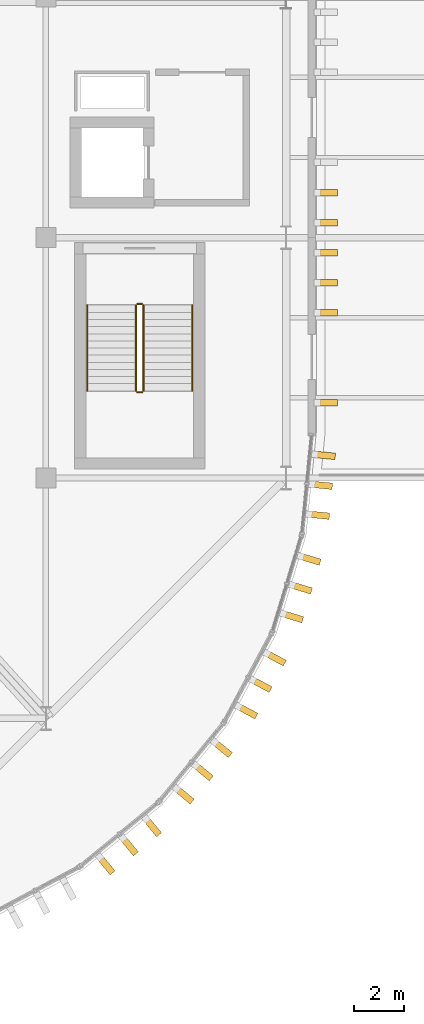
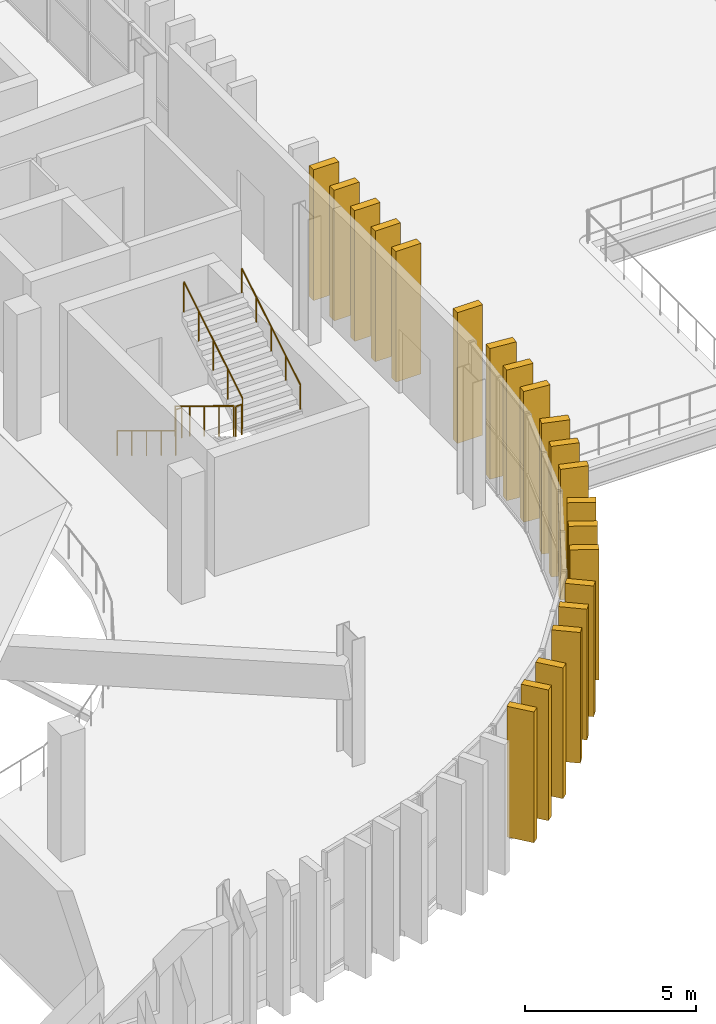
# One storey, part 60 of 69: 21 coverings, 6 railings.
"""IFC4 building model written with IfcOpenShell, lengths in metres."""

from ifc_helpers import new_model, si_unit, direction, frame, origin, origin_2d, place, context, subcontext, project, spatial, rectangle, circle, extrude, material, material_profile, profile_set, type_object, element, save


model = new_model("IFC4")

# Units and contexts
model_context = context("Model", 3, precision=1e-05, world=origin(), true_north=direction((0.0, 1.0)))
body_context = subcontext(model_context, "Body", "Model", "MODEL_VIEW")
ifc_project = project(units=[si_unit("LENGTHUNIT", "METRE"), si_unit("AREAUNIT", "SQUARE_METRE"), si_unit("VOLUMEUNIT", "CUBIC_METRE"), si_unit("PLANEANGLEUNIT", "RADIAN"), si_unit("MASSUNIT", "GRAM", prefix="KILO")], contexts=[model_context])

# Site, building, storey
site_placement = place(None, origin())
site = spatial("IfcSite", under=ifc_project, at=site_placement, CompositionType="ELEMENT")
building_placement = place(site_placement, origin())
building = spatial("IfcBuilding", under=site, at=building_placement, Name="Caelomonte Colonnade Arena", CompositionType="ELEMENT")
storey_placement = place(building_placement, frame((0.0, 0.0, 18.60009765625)))
storey = spatial("IfcBuildingStorey", under=building, at=storey_placement, Name="L04", CompositionType="ELEMENT", Elevation=18.60009765625)

# Coverings
ifc_material_1 = material(Name="Precast travertine cladding", Category="masonry")
ifc_material_profile = material_profile(ifc_material_1, rectangle(XDim=0.260009765625, YDim=0.85009765625, at=origin_2d()), Name="FIN260X850")
ifc_profile_set = profile_set([ifc_material_profile], Name="Precast travertine cladding")
covering_type = type_object("IfcCoveringType", Name="ENV-FN-SHAFT", PredefinedType="CLADDING", material=ifc_profile_set)
for number, where, z_axis, x_axis, name in (
    (1, (155.99755859375, 22.958251953125, -0.16015625), (0.0, 0.0, 1.0), (-0.77299384472, -0.634413521313, 0.0), "V1 L04 classical travertine vertical fin 10"),
    (2, (156.92529296875, 23.719482421875, -0.16015625), (0.0, 0.0, 1.0), (-0.77299384472, -0.634413521313, 0.0), "V1 L04 classical travertine vertical fin 11"),
    (3, (157.852783203125, 24.480712890625, -0.16015625), (0.0, 0.0, 1.0), (-0.77299384472, -0.634413521313, 0.0), "V1 L04 classical travertine vertical fin 12"),
    (4, (159.119140625, 25.747314453125, -0.16015625), (0.0, 0.0, 1.0), (-0.634413521313, -0.77299384472, 0.0), "V1 L04 classical travertine vertical fin 13"),
    (5, (159.880615234375, 26.6748046875, -0.16015625), (0.0, 0.0, 1.0), (-0.634413521313, -0.77299384472, 0.0), "V1 L04 classical travertine vertical fin 14"),
    (6, (160.641845703125, 27.602294921875, -0.16015625), (0.0, 0.0, 1.0), (-0.634413521313, -0.77299384472, 0.0), "V1 L04 classical travertine vertical fin 15"),
    (7, (161.63671875, 29.091552734375, -0.16015625), (0.0, 0.0, 1.0), (-0.471396736826, -0.881921264348, 0.0), "V1 L04 classical travertine vertical fin 16"),
    (8, (162.202392578125, 30.14990234375, -0.16015625), (0.0, 0.0, 1.0), (-0.471396736826, -0.881921264348, 0.0), "V1 L04 classical travertine vertical fin 17"),
    (9, (162.768310546875, 31.2080078125, -0.16015625), (0.0, 0.0, 1.0), (-0.471396736826, -0.881921264348, 0.0), "V1 L04 classical travertine vertical fin 18"),
    (10, (163.45361328125, 32.86279296875, -0.16015625), (0.0, 0.0, 1.0), (-0.290276326364, -0.956942868907, 0.0), "V1 L04 classical travertine vertical fin 19"),
    (11, (163.802001953125, 34.010986328125, -0.16015625), (0.0, 0.0, 1.0), (-0.290276326364, -0.956942868907, 0.0), "V1 L04 classical travertine vertical fin 20"),
    (12, (164.150146484375, 35.159423828125, -0.16015625), (0.0, 0.0, 1.0), (-0.290276326364, -0.956942868907, 0.0), "V1 L04 classical travertine vertical fin 21"),
    (13, (164.49951171875, 36.916015625, -0.16015625), (0.0, 0.0, 1.0), (-0.098015403404, -0.995184897743, 0.0), "V1 L04 classical travertine vertical fin 22"),
    (14, (164.6171875, 38.1103515625, -0.16015625), (0.0, 0.0, 1.0), (-0.098015403404, -0.995184897743, 0.0), "V1 L04 classical travertine vertical fin 23"),
    (15, (164.73486328125, 39.304443359375, -0.16015625), (0.0, 0.0, 1.0), (-0.098015403404, -0.995184897743, 0.0), "V1 L04 classical travertine vertical fin 24"),
    (16, (164.821044921875, 41.39990234375, -0.16015625), (0.0, 0.0, 1.0), (0.0, -1.0, 0.0), "V1 L04 classical travertine vertical fin 25"),
    (17, (164.821044921875, 45.0, -0.16015625), (0.0, 0.0, 1.0), (0.0, -1.0, 0.0), "V1 L04 classical travertine vertical fin 28"),
    (18, (164.821044921875, 46.199951171875, -0.16015625), (0.0, 0.0, 1.0), (0.0, -1.0, 0.0), "V1 L04 classical travertine vertical fin 29"),
    (19, (164.821044921875, 47.39990234375, -0.16015625), (0.0, 0.0, 1.0), (0.0, -1.0, 0.0), "V1 L04 classical travertine vertical fin 30"),
    (20, (164.821044921875, 48.60009765625, -0.16015625), (0.0, 0.0, 1.0), (0.0, -1.0, 0.0), "V1 L04 classical travertine vertical fin 31"),
    (21, (164.821044921875, 49.800048828125, -0.16015625), (0.0, 0.0, 1.0), (0.0, -1.0, 0.0), "V1 L04 classical travertine vertical fin 32"),
):
    element("IfcCovering", number, at=place(storey_placement, frame(where, z_axis=z_axis, x_axis=x_axis)), inside=storey, type_object=covering_type, Name=name, PredefinedType="CLADDING", context=body_context, shape_type="SweptSolid", body=[
        extrude(rectangle(XDim=0.260009765625, YDim=0.85009765625, at=origin_2d()), origin(), (0.0, 0.0, 1.0), 4.66015625),
    ])

# Railings
ifc_material_2 = material(Name="Painted galvanized steel stair guard", Category="steel")
railing_type_1 = type_object("IfcRailingType", Name="INT-RL-GRD", PredefinedType="GUARDRAIL", material=ifc_material_2)
railing_1_placement = place(storey_placement, frame((157.199951171875, 45.300048828125, 0.173095703125)))
element("IfcRailing", 22, at=railing_1_placement, inside=storey, type_object=railing_type_1, Name="L04 ST-02 stair guard 1", PredefinedType="GUARDRAIL", context=body_context, shape_type="SweptSolid", body=[
    extrude(circle(Radius=0.02392578125, at=origin_2d()), frame((0.0, 0.0, 1.076171875), z_axis=(0.0, -0.854745945586, 0.519046595696), x_axis=(1.0, 0.0, 0.0)), (0.0, 0.0, 1.0), 4.00146484375),
    extrude(circle(Radius=0.02099609375, at=origin_2d()), origin(), (0.0, 0.0, 1.0), 1.048095703125),
    extrude(circle(Radius=0.02099609375, at=origin_2d()), frame((0.0, -0.85498046875, 0.519287109375)), (0.0, 0.0, 1.0), 1.048095703125),
    extrude(circle(Radius=0.02099609375, at=origin_2d()), frame((0.0, -1.7099609375, 1.03857421875)), (0.0, 0.0, 1.0), 1.048095703125),
    extrude(circle(Radius=0.02099609375, at=origin_2d()), frame((0.0, -2.565185546875, 1.5576171875)), (0.0, 0.0, 1.0), 1.048095703125),
    extrude(circle(Radius=0.02099609375, at=origin_2d()), frame((0.0, -3.420166015625, 2.076904296875)), (0.0, 0.0, 1.0), 1.048095703125),
])
railing_2_placement = place(storey_placement, frame((157.25, 41.830078125, 2.25)))
element("IfcRailing", 23, at=railing_2_placement, inside=storey, type_object=railing_type_1, Name="L04 ST-02 stair guard 2", PredefinedType="GUARDRAIL", context=body_context, shape_type="SweptSolid", body=[
    extrude(circle(Radius=0.02392578125, at=origin_2d()), frame((0.0, 0.0, 1.076171875), z_axis=(1.0, 0.0, 0.0), x_axis=(0.0, 1.0, 0.0)), (0.0, 0.0, 1.0), 0.199951171875),
    extrude(circle(Radius=0.02099609375, at=origin_2d()), origin(), (0.0, 0.0, 1.0), 1.048095703125),
    extrude(circle(Radius=0.02099609375, at=origin_2d()), frame((0.199951171875, 0.0, 0.0)), (0.0, 0.0, 1.0), 1.048095703125),
])
railing_3_placement = place(storey_placement, frame((157.5, 41.8798828125, 2.423095703125)))
element("IfcRailing", 24, at=railing_3_placement, inside=storey, type_object=railing_type_1, Name="L04 ST-02 stair guard 3", PredefinedType="GUARDRAIL", context=body_context, shape_type="SweptSolid", body=[
    extrude(circle(Radius=0.02392578125, at=origin_2d()), frame((0.0, 0.0, 1.076171875), z_axis=(0.0, 0.854745945586, 0.519046595696), x_axis=(-1.0, 0.0, 0.0)), (0.0, 0.0, 1.0), 4.00146484375),
    extrude(circle(Radius=0.02099609375, at=origin_2d()), origin(), (0.0, 0.0, 1.0), 1.048095703125),
    extrude(circle(Radius=0.02099609375, at=origin_2d()), frame((0.0, 0.85498046875, 0.519287109375)), (0.0, 0.0, 1.0), 1.048095703125),
    extrude(circle(Radius=0.02099609375, at=origin_2d()), frame((0.0, 1.7099609375, 1.03857421875)), (0.0, 0.0, 1.0), 1.048095703125),
    extrude(circle(Radius=0.02099609375, at=origin_2d()), frame((0.0, 2.565185546875, 1.5576171875)), (0.0, 0.0, 1.0), 1.048095703125),
    extrude(circle(Radius=0.02099609375, at=origin_2d()), frame((0.0, 3.420166015625, 2.076904296875)), (0.0, 0.0, 1.0), 1.048095703125),
])
railing_4_placement = place(storey_placement, frame((157.25, 45.35009765625, 0.0)))
element("IfcRailing", 25, at=railing_4_placement, inside=storey, type_object=railing_type_1, Name="L04 ST-02 stair guard 4", PredefinedType="GUARDRAIL", context=body_context, shape_type="SweptSolid", body=[
    extrude(circle(Radius=0.02392578125, at=origin_2d()), frame((0.0, 0.0, 1.076171875), z_axis=(1.0, 0.0, 0.0), x_axis=(0.0, 1.0, 0.0)), (0.0, 0.0, 1.0), 0.199951171875),
    extrude(circle(Radius=0.02099609375, at=origin_2d()), origin(), (0.0, 0.0, 1.0), 1.048095703125),
    extrude(circle(Radius=0.02099609375, at=origin_2d()), frame((0.199951171875, 0.0, 0.0)), (0.0, 0.0, 1.0), 1.048095703125),
])
ifc_material_3 = material(Name="Brushed stainless steel stair handrail", Category="steel")
railing_type_2 = type_object("IfcRailingType", Name="INT-RL-HR", PredefinedType="HANDRAIL", material=ifc_material_3)
railing_5_placement = place(storey_placement, frame((155.25, 45.300048828125, 0.173095703125)))
element("IfcRailing", 26, at=railing_5_placement, inside=storey, type_object=railing_type_2, Name="L04 ST-02 stair handrail 1", PredefinedType="HANDRAIL", context=body_context, shape_type="SweptSolid", body=[
    extrude(circle(Radius=0.02392578125, at=origin_2d()), frame((0.0, 0.0, 0.8759765625), z_axis=(0.0, -0.854745945586, 0.519046595696), x_axis=(1.0, 0.0, 0.0)), (0.0, 0.0, 1.0), 4.00146484375),
    extrude(circle(Radius=0.02099609375, at=origin_2d()), origin(), (0.0, 0.0, 1.0), 0.847900390625),
    extrude(circle(Radius=0.02099609375, at=origin_2d()), frame((0.0, -0.85498046875, 0.519287109375)), (0.0, 0.0, 1.0), 0.847900390625),
    extrude(circle(Radius=0.02099609375, at=origin_2d()), frame((0.0, -1.7099609375, 1.03857421875)), (0.0, 0.0, 1.0), 0.847900390625),
    extrude(circle(Radius=0.02099609375, at=origin_2d()), frame((0.0, -2.565185546875, 1.5576171875)), (0.0, 0.0, 1.0), 0.847900390625),
    extrude(circle(Radius=0.02099609375, at=origin_2d()), frame((0.0, -3.420166015625, 2.076904296875)), (0.0, 0.0, 1.0), 0.847900390625),
])
railing_6_placement = place(storey_placement, frame((159.449951171875, 41.8798828125, 2.423095703125)))
element("IfcRailing", 27, at=railing_6_placement, inside=storey, type_object=railing_type_2, Name="L04 ST-02 stair handrail 2", PredefinedType="HANDRAIL", context=body_context, shape_type="SweptSolid", body=[
    extrude(circle(Radius=0.02392578125, at=origin_2d()), frame((0.0, 0.0, 0.8759765625), z_axis=(0.0, 0.854745945586, 0.519046595696), x_axis=(-1.0, 0.0, 0.0)), (0.0, 0.0, 1.0), 4.00146484375),
    extrude(circle(Radius=0.02099609375, at=origin_2d()), origin(), (0.0, 0.0, 1.0), 0.847900390625),
    extrude(circle(Radius=0.02099609375, at=origin_2d()), frame((0.0, 0.85498046875, 0.519287109375)), (0.0, 0.0, 1.0), 0.847900390625),
    extrude(circle(Radius=0.02099609375, at=origin_2d()), frame((0.0, 1.7099609375, 1.03857421875)), (0.0, 0.0, 1.0), 0.847900390625),
    extrude(circle(Radius=0.02099609375, at=origin_2d()), frame((0.0, 2.565185546875, 1.5576171875)), (0.0, 0.0, 1.0), 0.847900390625),
    extrude(circle(Radius=0.02099609375, at=origin_2d()), frame((0.0, 3.420166015625, 2.076904296875)), (0.0, 0.0, 1.0), 0.847900390625),
])

save(model, "model.ifc")
